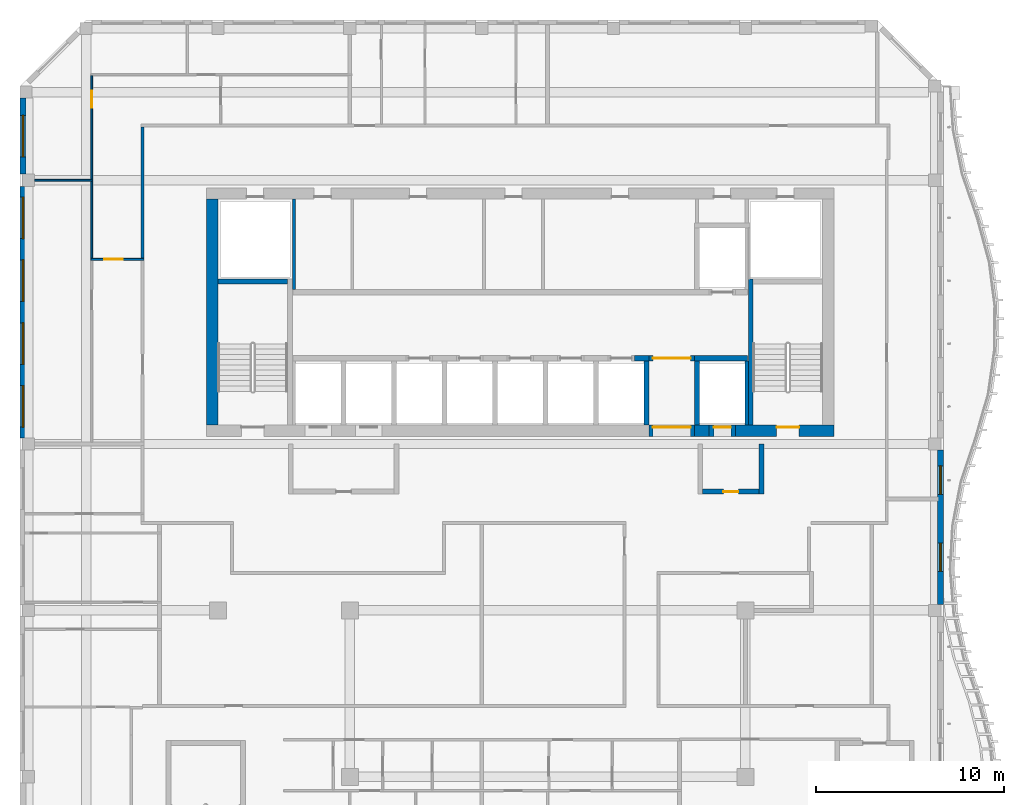
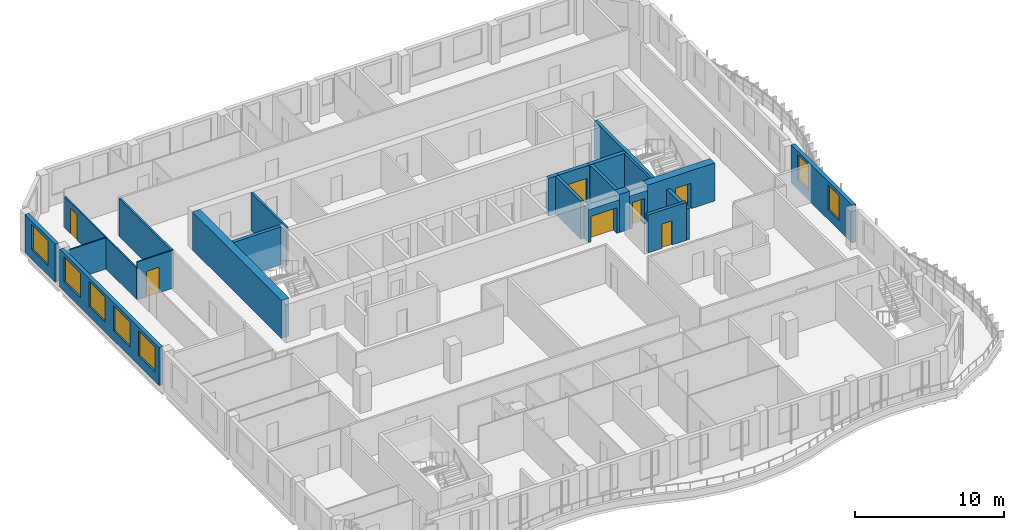
# One storey, part 6 of 18: 24 walls, 7 doors, 7 windows, 14 openings.
"""IFC4 building model written with IfcOpenShell, lengths in metres."""

import ifcopenshell
import ifcopenshell.guid

model = None  # the IFC model being written
_history = None  # IfcOwnerHistory: only IFC2X3 demands one
_inside = {}  # id of a spatial element -> (the spatial element, [elements in it])
_under = {}  # id of a project, library or spatial element -> (it, [spatial elements below it])
_declared = {}  # id of a project -> (the project, [libraries it declares])
_typed = {}  # id of a type object -> (the type object, [elements of that type])
_made_of = {}  # id of a material, layer set ... -> (it, [elements and type objects made of it])


def new_model(schema):
    """Start an empty IFC model of exactly this schema.

    Asked for "IFC4X3", IfcOpenShell would pick the latest addendum, in which some entities
    have other attributes; the version numbers below select the first issue.
    IFC2X3 requires an IfcOwnerHistory on every rooted entity: one is made here for all.
    """
    global model, _history
    if schema == "IFC4X3":
        model = ifcopenshell.file(schema_version=(4, 3, 0, 0))
    else:
        model = ifcopenshell.file(schema=schema)
    _inside.clear()
    _under.clear()
    _declared.clear()
    _typed.clear()
    _made_of.clear()
    _history = None
    if model.schema == "IFC2X3":
        org = make("IfcOrganization", Name="unknown")
        user = make(
            "IfcPersonAndOrganization",
            ThePerson=make("IfcPerson", FamilyName="unknown"),
            TheOrganization=org,
        )
        app = make(
            "IfcApplication",
            ApplicationDeveloper=org,
            Version="unknown",
            ApplicationFullName="unknown",
            ApplicationIdentifier="unknown",
        )
        _history = make(
            "IfcOwnerHistory",
            OwningUser=user,
            OwningApplication=app,
            ChangeAction="ADDED",
            CreationDate=0,
        )
    return model


def make(cls, **values):
    """One entity of the class cls with the attributes given. An attribute that is None is left unset."""
    return model.create_entity(
        cls, **{name: value for name, value in values.items() if value is not None}
    )


def rooted(cls, **values):
    """An entity with a GlobalId (a new one), such as an element, a storey or a relation."""
    return make(cls, GlobalId=ifcopenshell.guid.new(), OwnerHistory=_history, **values)


def si_unit(unit_type, name, prefix=None):
    """IfcSIUnit, for example si_unit("LENGTHUNIT", "METRE", prefix="MILLI")."""
    return make("IfcSIUnit", UnitType=unit_type, Prefix=prefix, Name=name)


def assignment(units):
    """IfcUnitAssignment: the units of a project."""
    return None if units is None else make("IfcUnitAssignment", Units=units)


def point(xyz):
    """IfcCartesianPoint."""
    return None if xyz is None else make("IfcCartesianPoint", Coordinates=xyz)


def direction(xyz):
    """IfcDirection."""
    return None if xyz is None else make("IfcDirection", DirectionRatios=xyz)


def frame(location, z_axis=None, x_axis=None):
    """IfcAxis2Placement3D, a coordinate frame: its origin and axes. An axis left out is left unset."""
    return make(
        "IfcAxis2Placement3D",
        Location=point(location),
        Axis=direction(z_axis),
        RefDirection=direction(x_axis),
    )


def frame_2d(location, x_axis=None):
    """IfcAxis2Placement2D, a coordinate frame in the plane: its origin and x axis."""
    return make(
        "IfcAxis2Placement2D", Location=point(location), RefDirection=direction(x_axis)
    )


def origin():
    """The frame at (0, 0, 0) with its axes left unset."""
    return frame((0.0, 0.0, 0.0))


def place(relative_to, where):
    """IfcLocalPlacement: puts the frame where relative to a parent placement (None: the world)."""
    return make(
        "IfcLocalPlacement", PlacementRelTo=relative_to, RelativePlacement=where
    )


def context(
    kind, dimensions, precision=None, world=None, true_north=None, identifier=None
):
    """IfcGeometricRepresentationContext, for example the 3D "Model" context."""
    return make(
        "IfcGeometricRepresentationContext",
        ContextIdentifier=identifier,
        ContextType=kind,
        CoordinateSpaceDimension=dimensions,
        Precision=precision,
        WorldCoordinateSystem=world,
        TrueNorth=true_north,
    )


def subcontext(parent, identifier, kind, view, scale=None):
    """IfcGeometricRepresentationSubContext, for example "Body" below "Model"."""
    return make(
        "IfcGeometricRepresentationSubContext",
        ContextIdentifier=identifier,
        ContextType=kind,
        ParentContext=parent,
        TargetScale=scale,
        TargetView=view,
    )


def project(units=None, contexts=None):
    """IfcProject with its units and contexts."""
    return rooted(
        "IfcProject",
        Name="project",
        RepresentationContexts=contexts,
        UnitsInContext=assignment(units),
    )


def spatial(cls, under=None, at=None, **own):
    """A site, building, storey or space (cls), placed at a placement, below another one or the project."""
    s = rooted(cls, ObjectPlacement=at, **own)
    if under is not None:
        _under.setdefault(under.id(), (under, []))[1].append(s)
    return s


def profile(cls, at=None, kind="AREA", **sizes):
    """A parametric profile (cls). Its sizes go by their IFC names, for example OverallWidth=200.0."""
    return make(cls, ProfileType=kind, Position=at, **sizes)


def rectangle(**sizes):
    """IfcRectangleProfileDef."""
    return profile("IfcRectangleProfileDef", **sizes)


def extrude(swept, where, along, depth):
    """IfcExtrudedAreaSolid: the profile swept, set in the frame where, extruded along a direction by depth."""
    return make(
        "IfcExtrudedAreaSolid",
        SweptArea=swept,
        Position=where,
        ExtrudedDirection=direction(along),
        Depth=depth,
    )


def shape(context_of_items, identifier, shape_type, items):
    """IfcShapeRepresentation: the items that make up one representation, for example the "Body"."""
    return make(
        "IfcShapeRepresentation",
        ContextOfItems=context_of_items,
        RepresentationIdentifier=identifier,
        RepresentationType=shape_type,
        Items=items,
    )


def source(mapping_origin, context_of_items, identifier, shape_type, items):
    """IfcRepresentationMap: a shape defined once, which mapped items show again and again."""
    return make(
        "IfcRepresentationMap",
        MappingOrigin=mapping_origin,
        MappedRepresentation=shape(context_of_items, identifier, shape_type, items),
    )


def transform(
    local_origin,
    x_axis=None,
    y_axis=None,
    z_axis=None,
    scale=None,
    scale2=None,
    scale3=None,
    uniform=True,
):
    """IfcCartesianTransformationOperator3D, or its non-uniform kind. x_axis, y_axis, z_axis: its Axis1, 2, 3."""
    if uniform:
        return make(
            "IfcCartesianTransformationOperator3D",
            Axis1=direction(x_axis),
            Axis2=direction(y_axis),
            LocalOrigin=point(local_origin),
            Scale=scale,
            Axis3=direction(z_axis),
        )
    return make(
        "IfcCartesianTransformationOperator3DnonUniform",
        Axis1=direction(x_axis),
        Axis2=direction(y_axis),
        LocalOrigin=point(local_origin),
        Scale=scale,
        Axis3=direction(z_axis),
        Scale2=scale2,
        Scale3=scale3,
    )


def mapped(mapping_source, mapping_target):
    """IfcMappedItem: shows the shape of a source again, moved by a transform."""
    return make(
        "IfcMappedItem", MappingSource=mapping_source, MappingTarget=mapping_target
    )


def material(Name=None, Category=None):
    """IfcMaterial."""
    return make("IfcMaterial", Name=Name, Category=Category)


def layer(
    of_material, thickness, ventilated=None, Name=None, Category=None, Priority=None
):
    """IfcMaterialLayer: one layer of a wall or slab, of a material (None: an air gap)."""
    return make(
        "IfcMaterialLayer",
        Material=of_material,
        LayerThickness=thickness,
        IsVentilated=ventilated,
        Name=Name,
        Category=Category,
        Priority=Priority,
    )


def layer_set(layers, Name=None):
    """IfcMaterialLayerSet."""
    return make("IfcMaterialLayerSet", MaterialLayers=layers, LayerSetName=Name)


def made_of(thing, what):
    """Note that an element or type object is made of a material, layer set ...; save() writes the relation."""
    if what is not None:
        _made_of.setdefault(what.id(), (what, []))[1].append(thing)
    return thing


def type_object(cls, material=None, **own):
    """A type object (cls), such as IfcWallType, which elements share."""
    return made_of(rooted(cls, **own), material)


def element(
    cls,
    number,
    at=None,
    inside=None,
    cuts=None,
    type_object=None,
    material=None,
    context=None,
    identifier="Body",
    shape_type=None,
    held_by="IfcProductDefinitionShape",
    body=None,
    shapes=None,
    **own,
):
    """One element of the class cls, such as IfcWall. Its Tag is "e" and its number.

    at: its placement. inside: the storey or other place that contains it. cuts: it is an
    opening in that element (IfcRelVoidsElement). A single representation is given by context,
    identifier, shape_type and body (its items); several are given by shapes. held_by: the class
    of the entity that holds the representations. save() writes the other relations.
    """
    e = rooted(cls, Tag="e%d" % number, ObjectPlacement=at, **own)
    if body is not None:
        shapes = [shape(context, identifier, shape_type, body)]
    if shapes is not None:
        e.Representation = make(held_by, Representations=shapes)
    if inside is not None:
        _inside.setdefault(inside.id(), (inside, []))[1].append(e)
    if cuts is not None:
        rooted(
            "IfcRelVoidsElement", RelatingBuildingElement=cuts, RelatedOpeningElement=e
        )
    if type_object is not None:
        _typed.setdefault(type_object.id(), (type_object, []))[1].append(e)
    return made_of(e, material)


def fill(opening, filler):
    """IfcRelFillsElement: the door or window that sits in an opening."""
    return rooted(
        "IfcRelFillsElement",
        RelatingOpeningElement=opening,
        RelatedBuildingElement=filler,
    )


def aggregate(whole, parts):
    """IfcRelAggregates: a whole, such as a stair, and the parts it consists of."""
    return rooted("IfcRelAggregates", RelatingObject=whole, RelatedObjects=parts)


def save(model, path):
    """Write the relations noted so far, then the file.

    IfcRelAggregates (storeys below a building ...), IfcRelContainedInSpatialStructure (elements
    in a storey), IfcRelDefinesByType, IfcRelAssociatesMaterial and IfcRelDeclares: one each for
    every whole, place, type object, material and project.
    """
    for whole, parts in _under.values():
        aggregate(whole, parts)
    for where, things in _inside.values():
        rooted(
            "IfcRelContainedInSpatialStructure",
            RelatedElements=things,
            RelatingStructure=where,
        )
    for kind, things in _typed.values():
        rooted("IfcRelDefinesByType", RelatedObjects=things, RelatingType=kind)
    for what, things in _made_of.values():
        rooted("IfcRelAssociatesMaterial", RelatedObjects=things, RelatingMaterial=what)
    for by, libraries in _declared.values():
        rooted("IfcRelDeclares", RelatingContext=by, RelatedDefinitions=libraries)
    model.write(path)


model = new_model("IFC4")

# Units and contexts
model_context = context("Model", 3, precision=1e-05, world=origin(), true_north=direction((0.0, 1.0)))
body_context = subcontext(model_context, "Body", "Model", "MODEL_VIEW")
ifc_project = project(units=[si_unit("LENGTHUNIT", "METRE"), si_unit("AREAUNIT", "SQUARE_METRE"), si_unit("VOLUMEUNIT", "CUBIC_METRE"), si_unit("PLANEANGLEUNIT", "RADIAN"), si_unit("MASSUNIT", "GRAM", prefix="KILO")], contexts=[model_context])

# Site, building, storey
site_placement = place(None, origin())
site = spatial("IfcSite", under=ifc_project, at=site_placement, CompositionType="ELEMENT")
building_placement = place(site_placement, origin())
building = spatial("IfcBuilding", under=site, at=building_placement, Name="Kilnfold Tower and Market Hall", CompositionType="ELEMENT")
storey_placement = place(building_placement, frame((0.0, 0.0, 277.199951171875)))
storey = spatial("IfcBuildingStorey", under=building, at=storey_placement, Name="L68", CompositionType="ELEMENT", Elevation=277.199951171875)

# Wall
ifc_material_1 = material(Name="Gypsum board on steel studs", Category="steel")
ifc_layer_1 = layer(ifc_material_1, 0.14990234375)
ifc_layer_set_1 = layer_set([ifc_layer_1], Name="Gypsum board on steel studs")
wall_type_1 = type_object("IfcWallType", Name="WALL CORRIDOR 150", PredefinedType="PARTITIONING", material=ifc_layer_set_1)
wall_1_placement = place(storey_placement, frame((-19.0, 17.840087890625, 0.0), z_axis=(0.0, 0.0, 1.0), x_axis=(0.0, 1.0, 0.0)))
element("IfcWall", 1, at=wall_1_placement, inside=storey, type_object=wall_type_1, Name="Partition LY42.21", PredefinedType="PARTITIONING", context=body_context, shape_type="SweptSolid", body=[
    extrude(rectangle(XDim=6.98486328125, YDim=0.14990234375, at=frame_2d((3.492431640625, 0.0))), origin(), (0.0, 0.0, 1.0), 3.1201171875),
])

# Wall, opening, door
ifc_material_2 = material(Name="Gypsum board on steel studs", Category="steel")
ifc_layer_2 = layer(ifc_material_2, 0.10009765625)
ifc_layer_set_2 = layer_set([ifc_layer_2], Name="Gypsum board on steel studs")
wall_type_2 = type_object("IfcWallType", Name="WALL PARTITION 100", PredefinedType="PARTITIONING", material=ifc_layer_set_2)
wall_2_placement = place(storey_placement, frame((-18.927001953125, 17.800048828125, 0.0), z_axis=(0.0, 0.0, 1.0), x_axis=(-1.0, 0.0, 0.0)))
wall_2 = element("IfcWall", 2, at=wall_2_placement, inside=storey, type_object=wall_type_2, Name="Partition LY42.71", PredefinedType="PARTITIONING", context=body_context, shape_type="SweptSolid", body=[
    extrude(rectangle(XDim=2.822998046875, YDim=0.10009765625, at=frame_2d((1.41162109375, 0.0))), origin(), (0.0, 0.0, 1.0), 3.1201171875),
])
opening_1_placement = place(wall_2_placement, frame((1.114990234375, 0.0, 0.0)))
opening_1 = element("IfcOpeningElement", 3, at=opening_1_placement, cuts=wall_2, Name="Opening D1", PredefinedType="OPENING", context=body_context, shape_type="SweptSolid", body=[
    extrude(rectangle(XDim=1.0, YDim=2.10009765625, at=frame_2d((0.5, 1.050048828125))), frame((0.0, 0.06005859375, 0.0), z_axis=(0.0, -1.0, 0.0), x_axis=(1.0, 0.0, 0.0)), (0.0, 0.0, 1.0), 0.1201171875),
])
ifc_material_3 = material(Name="Timber veneer door leaf in steel frame", Category="steel")
door_type_1 = type_object("IfcDoorType", Name="DOOR ENTRY 1000 X2100", OperationType="NOTDEFINED", PredefinedType="DOOR", material=ifc_material_3)
door_1_placement = place(opening_1_placement, origin())
door_1 = element("IfcDoor", 4, at=door_1_placement, inside=storey, type_object=door_type_1, Name="Door D1", OperationType="SINGLE_SWING_RIGHT", OverallHeight=2.10009765625, OverallWidth=1.0, PredefinedType="DOOR", context=body_context, shape_type="SweptSolid", body=[
    extrude(rectangle(XDim=1.0, YDim=2.10009765625, at=frame_2d((0.5, 1.050048828125))), frame((0.0, 0.02490234375, 0.0), z_axis=(0.0, -1.0, 0.0), x_axis=(1.0, 0.0, 0.0)), (0.0, 0.0, 1.0), 0.050048828125),
])
fill(opening_1, door_1)

# Wall
wall_3_placement = place(storey_placement, frame((-21.699951171875, 17.85009765625, 0.0), z_axis=(0.0, 0.0, 1.0), x_axis=(0.0, 1.0, 0.0)))
element("IfcWall", 5, at=wall_3_placement, inside=storey, type_object=wall_type_2, Name="Partition LY42.74", PredefinedType="PARTITIONING", context=body_context, shape_type="SweptSolid", body=[
    extrude(rectangle(XDim=4.10986328125, YDim=0.10009765625, at=frame_2d((2.054931640625, 0.0))), origin(), (0.0, 0.0, 1.0), 2.570068359375),
])

# Wall, opening, door
wall_4_placement = place(storey_placement, frame((-21.699951171875, 22.0400390625, 0.0), z_axis=(0.0, 0.0, 1.0), x_axis=(0.0, 1.0, 0.0)))
wall_4 = element("IfcWall", 6, at=wall_4_placement, inside=storey, type_object=wall_type_2, Name="Partition LY42.75", PredefinedType="PARTITIONING", context=body_context, shape_type="SweptSolid", body=[
    extrude(rectangle(XDim=5.510009765625, YDim=0.10009765625, at=frame_2d((2.7548828125, 0.0))), origin(), (0.0, 0.0, 1.0), 2.570068359375),
])
opening_2_placement = place(wall_4_placement, frame((3.80908203125, 0.0, 0.0)))
opening_2 = element("IfcOpeningElement", 7, at=opening_2_placement, cuts=wall_4, Name="Opening D2", PredefinedType="OPENING", context=body_context, shape_type="SweptSolid", body=[
    extrude(rectangle(XDim=0.89990234375, YDim=2.10009765625, at=frame_2d((0.449951171875, 1.050048828125))), frame((0.0, 0.06005859375, 0.0), z_axis=(0.0, -1.0, 0.0), x_axis=(1.0, 0.0, 0.0)), (0.0, 0.0, 1.0), 0.1201171875),
])
ifc_material_4 = material(Name="Timber veneer door leaf in steel frame", Category="steel")
door_type_2 = type_object("IfcDoorType", Name="DOOR ROOM 900 X2100", OperationType="NOTDEFINED", PredefinedType="DOOR", material=ifc_material_4)
door_2_placement = place(opening_2_placement, origin())
door_2 = element("IfcDoor", 8, at=door_2_placement, inside=storey, type_object=door_type_2, Name="Door D2", OperationType="SINGLE_SWING_LEFT", OverallHeight=2.10009765625, OverallWidth=0.89990234375, PredefinedType="DOOR", context=body_context, shape_type="SweptSolid", body=[
    extrude(rectangle(XDim=0.89990234375, YDim=2.10009765625, at=frame_2d((0.449951171875, 1.050048828125))), frame((0.0, 0.02490234375, 0.0), z_axis=(0.0, -1.0, 0.0), x_axis=(1.0, 0.0, 0.0)), (0.0, 0.0, 1.0), 0.050048828125),
])
fill(opening_2, door_2)

# Walls
wall_5_placement = place(storey_placement, frame((-21.652099609375, 22.0, 0.0), z_axis=(0.0, 0.0, 1.0), x_axis=(-1.0, 0.0, 0.0)))
element("IfcWall", 9, at=wall_5_placement, inside=storey, type_object=wall_type_2, Name="Partition LY42.77", PredefinedType="PARTITIONING", context=body_context, shape_type="SweptSolid", body=[
    extrude(rectangle(XDim=3.072998046875, YDim=0.10009765625, at=frame_2d((1.53662109375, 0.0))), origin(), (0.0, 0.0, 1.0), 2.570068359375),
])
ifc_material_5 = material(Name="Concrete C50", Category="concrete")
ifc_layer_3 = layer(ifc_material_5, 0.25)
ifc_layer_set_3 = layer_set([ifc_layer_3], Name="Concrete C50")
wall_type_3 = type_object("IfcWallType", Name="CORE WALL 250 C50", PredefinedType="SHEAR", material=ifc_layer_set_3)
shared_shape_1 = source(origin(), body_context, "Body", "SweptSolid", [
    extrude(rectangle(XDim=7.75, YDim=0.25, at=frame_2d((3.875, 0.0))), origin(), (0.0, 0.0, 1.0), 3.1201171875),
])
wall_6_placement = place(storey_placement, frame((13.27490234375, 9.0, 0.0), z_axis=(0.0, 0.0, 1.0), x_axis=(0.0, 1.0, 0.0)))
element("IfcWall", 10, at=wall_6_placement, inside=storey, type_object=wall_type_3, Name="Stair enclosure ST2", PredefinedType="SHEAR", context=body_context, shape_type="MappedRepresentation", body=[
    mapped(shared_shape_1, transform((0.0, 0.0, 0.0))),
])
shared_shape_2 = source(origin(), body_context, "Body", "SweptSolid", [
    extrude(rectangle(XDim=3.699951171875, YDim=0.25, at=frame_2d((1.85009765625, 0.0))), origin(), (0.0, 0.0, 1.0), 3.1201171875),
])
wall_7_placement = place(storey_placement, frame((-15.0, 16.625, 0.0), z_axis=(0.0, 0.0, 1.0), x_axis=(1.0, 0.0, 0.0)))
element("IfcWall", 11, at=wall_7_placement, inside=storey, type_object=wall_type_3, Name="Stair enclosure ST1", PredefinedType="SHEAR", context=body_context, shape_type="MappedRepresentation", body=[
    mapped(shared_shape_2, transform((0.0, 0.0, 0.0))),
])
ifc_material_6 = material(Name="Concrete C50", Category="concrete")
ifc_layer_4 = layer(ifc_material_6, 0.300048828125)
ifc_layer_set_4 = layer_set([ifc_layer_4], Name="Concrete C50")
wall_type_4 = type_object("IfcWallType", Name="CORE WALL 300 C50", PredefinedType="SHEAR", material=ifc_layer_set_4)
shared_shape_3 = source(origin(), body_context, "Body", "SweptSolid", [
    extrude(rectangle(XDim=0.77978515625, YDim=0.300048828125, at=frame_2d((0.389892578125, 0.0))), origin(), (0.0, 0.0, 1.0), 3.1201171875),
])
wall_8_placement = place(storey_placement, frame((7.110107421875, 12.550048828125, 0.0), z_axis=(0.0, 0.0, 1.0), x_axis=(1.0, 0.0, 0.0)))
element("IfcWall", 12, at=wall_8_placement, inside=storey, type_object=wall_type_4, Name="Core spine wall", PredefinedType="SHEAR", context=body_context, shape_type="MappedRepresentation", body=[
    mapped(shared_shape_3, transform((0.0, 0.0, 0.0))),
])
shared_shape_4 = source(origin(), body_context, "Body", "SweptSolid", [
    extrude(rectangle(XDim=2.820068359375, YDim=0.300048828125, at=frame_2d((1.41015625, 0.0))), origin(), (0.0, 0.0, 1.0), 3.1201171875),
])
wall_9_placement = place(storey_placement, frame((10.2900390625, 12.550048828125, 0.0), z_axis=(0.0, 0.0, 1.0), x_axis=(1.0, 0.0, 0.0)))
element("IfcWall", 13, at=wall_9_placement, inside=storey, type_object=wall_type_4, Name="Core spine wall", PredefinedType="SHEAR", context=body_context, shape_type="MappedRepresentation", body=[
    mapped(shared_shape_4, transform((0.0, 0.0, 0.0))),
])

# Wall, opening, door
ifc_material_7 = material(Name="Concrete C50", Category="concrete")
ifc_layer_5 = layer(ifc_material_7, 0.60009765625)
ifc_layer_set_5 = layer_set([ifc_layer_5], Name="Concrete C50")
wall_type_5 = type_object("IfcWallType", Name="CORE WALL 600 C50", PredefinedType="SHEAR", material=ifc_layer_set_5)
shared_shape_5 = source(origin(), body_context, "Body", "SweptSolid", [
    extrude(rectangle(XDim=5.22998046875, YDim=0.60009765625, at=frame_2d((2.614990234375, 0.0))), origin(), (0.0, 0.0, 1.0), 3.1201171875),
])
wall_10_placement = place(storey_placement, frame((12.469970703125, 8.699951171875, 0.0), z_axis=(0.0, 0.0, 1.0), x_axis=(1.0, 0.0, 0.0)))
wall_10 = element("IfcWall", 14, at=wall_10_placement, inside=storey, type_object=wall_type_5, Name="Core outer wall south", PredefinedType="SHEAR", context=body_context, shape_type="MappedRepresentation", body=[
    mapped(shared_shape_5, transform((0.0, 0.0, 0.0))),
])
opening_3_placement = place(wall_10_placement, frame((2.179931640625, 0.0, 0.0)))
opening_3 = element("IfcOpeningElement", 15, at=opening_3_placement, cuts=wall_10, Name="Opening SD1", PredefinedType="OPENING", context=body_context, shape_type="SweptSolid", body=[
    extrude(rectangle(XDim=1.199951171875, YDim=2.10009765625, at=frame_2d((0.60009765625, 1.050048828125))), frame((0.0, 0.31005859375, 0.0), z_axis=(0.0, -1.0, 0.0), x_axis=(1.0, 0.0, 0.0)), (0.0, 0.0, 1.0), 0.6201171875),
])
ifc_material_8 = material(Name="Steel door set with fire-resisting leaf", Category="steel")
door_type_3 = type_object("IfcDoorType", Name="STAIR FLOOR DOOR 1200X2100", OperationType="NOTDEFINED", PredefinedType="DOOR", material=ifc_material_8)
door_3_placement = place(opening_3_placement, origin())
door_3 = element("IfcDoor", 16, at=door_3_placement, inside=storey, type_object=door_type_3, Name="Exit stair ST2 door", OperationType="DOUBLE_DOOR_SINGLE_SWING", OverallHeight=2.10009765625, OverallWidth=1.199951171875, PredefinedType="DOOR", context=body_context, shape_type="SweptSolid", body=[
    extrude(rectangle(XDim=1.199951171875, YDim=2.10009765625, at=frame_2d((0.60009765625, 1.050048828125))), frame((0.0, 0.205078125, 0.0), z_axis=(0.0, -1.0, 0.0), x_axis=(1.0, 0.0, 0.0)), (0.0, 0.0, 1.0), 0.050048828125),
])
fill(opening_3, door_3)

# Walls
shared_shape_6 = source(origin(), body_context, "Body", "SweptSolid", [
    extrude(rectangle(XDim=0.780029296875, YDim=0.60009765625, at=frame_2d((0.39013671875, 0.0))), origin(), (0.0, 0.0, 1.0), 3.1201171875),
])
wall_11_placement = place(storey_placement, frame((10.2900390625, 8.699951171875, 0.0), z_axis=(0.0, 0.0, 1.0), x_axis=(1.0, 0.0, 0.0)))
element("IfcWall", 17, at=wall_11_placement, inside=storey, type_object=wall_type_5, Name="Core outer wall south", PredefinedType="SHEAR", context=body_context, shape_type="MappedRepresentation", body=[
    mapped(shared_shape_6, transform((0.0, 0.0, 0.0))),
])
shared_shape_7 = source(origin(), body_context, "Body", "SweptSolid", [
    extrude(rectangle(XDim=12.0, YDim=0.60009765625, at=frame_2d((6.0, 0.0))), origin(), (0.0, 0.0, 1.0), 3.1201171875),
])
wall_12_placement = place(storey_placement, frame((-15.300048828125, 9.0, 0.0), z_axis=(0.0, 0.0, 1.0), x_axis=(0.0, 1.0, 0.0)))
element("IfcWall", 18, at=wall_12_placement, inside=storey, type_object=wall_type_5, Name="Core outer wall west", PredefinedType="SHEAR", context=body_context, shape_type="MappedRepresentation", body=[
    mapped(shared_shape_7, transform((0.0, 0.0, 0.0))),
])

# Wall, openings, windows
ifc_material_9 = material(Name="Precast concrete C50/60", Category="concrete")
ifc_layer_6 = layer(ifc_material_9, 0.300048828125)
ifc_layer_set_6 = layer_set([ifc_layer_6], Name="Precast concrete C50/60")
wall_type_6 = type_object("IfcWallType", Name="PRECAST WALL 300", PredefinedType="SOLIDWALL", material=ifc_layer_set_6)
shared_shape_8 = source(origin(), body_context, "Body", "SweptSolid", [
    extrude(rectangle(XDim=8.183349609375, YDim=0.300048828125, at=frame_2d((4.091796875, 0.0))), origin(), (0.0, 0.0, 1.0), 3.1201171875),
])
wall_13_placement = place(storey_placement, frame((23.35009765625, -0.50830078125, 0.0), z_axis=(0.0, 0.0, 1.0), x_axis=(0.0, 1.0, 0.0)))
wall_13 = element("IfcWall", 19, at=wall_13_placement, inside=storey, type_object=wall_type_6, Name="External wall L68 E", PredefinedType="SOLIDWALL", context=body_context, shape_type="MappedRepresentation", body=[
    mapped(shared_shape_8, transform((0.0, 0.0, 0.0))),
])
opening_4_placement = place(wall_13_placement, frame((1.75, 0.0, 0.800048828125)))
opening_4 = element("IfcOpeningElement", 20, at=opening_4_placement, cuts=wall_13, Name="Opening W5", PredefinedType="OPENING", context=body_context, shape_type="SweptSolid", body=[
    extrude(rectangle(XDim=1.5, YDim=2.050048828125, at=frame_2d((0.75, 1.02490234375))), frame((0.0, 0.16015625, 0.0), z_axis=(0.0, -1.0, 0.0), x_axis=(1.0, 0.0, 0.0)), (0.0, 0.0, 1.0), 0.320068359375),
])
opening_5_placement = place(wall_13_placement, frame((5.841552734375, 0.0, 0.800048828125)))
opening_5 = element("IfcOpeningElement", 21, at=opening_5_placement, cuts=wall_13, Name="Opening W5", PredefinedType="OPENING", context=body_context, shape_type="SweptSolid", body=[
    extrude(rectangle(XDim=1.5, YDim=2.050048828125, at=frame_2d((0.75, 1.02490234375))), frame((0.0, 0.16015625, 0.0), z_axis=(0.0, -1.0, 0.0), x_axis=(1.0, 0.0, 0.0)), (0.0, 0.0, 1.0), 0.320068359375),
])
ifc_material_10 = material(Name="Aluminium frame and double glazing", Category="aluminium")
window_type_1 = type_object("IfcWindowType", Name="WINDOW W5 1500X2050", PartitioningType="SINGLE_PANEL", PredefinedType="WINDOW", material=ifc_material_10)
window_1_placement = place(opening_4_placement, origin())
window_1 = element("IfcWindow", 22, at=window_1_placement, inside=storey, type_object=window_type_1, Name="Window W5 L68 E-1", OverallHeight=2.050048828125, OverallWidth=1.5, PartitioningType="SINGLE_PANEL", PredefinedType="WINDOW", context=body_context, shape_type="SweptSolid", body=[
    extrude(rectangle(XDim=1.5, YDim=2.050048828125, at=frame_2d((0.75, 1.02490234375))), frame((0.0, 0.030029296875, 0.0), z_axis=(0.0, -1.0, 0.0), x_axis=(1.0, 0.0, 0.0)), (0.0, 0.0, 1.0), 0.06005859375),
])
fill(opening_4, window_1)
window_2_placement = place(opening_5_placement, origin())
window_2 = element("IfcWindow", 23, at=window_2_placement, inside=storey, type_object=window_type_1, Name="Window W5 L68 E-2", OverallHeight=2.050048828125, OverallWidth=1.5, PartitioningType="SINGLE_PANEL", PredefinedType="WINDOW", context=body_context, shape_type="SweptSolid", body=[
    extrude(rectangle(XDim=1.5, YDim=2.050048828125, at=frame_2d((0.75, 1.02490234375))), frame((0.0, 0.030029296875, 0.0), z_axis=(0.0, -1.0, 0.0), x_axis=(1.0, 0.0, 0.0)), (0.0, 0.0, 1.0), 0.06005859375),
])
fill(opening_5, window_2)

shared_shape_9 = source(origin(), body_context, "Body", "SweptSolid", [
    extrude(rectangle(XDim=13.35009765625, YDim=0.300048828125, at=frame_2d((6.675048828125, 0.0))), origin(), (0.0, 0.0, 1.0), 3.1201171875),
])
wall_14_placement = place(storey_placement, frame((-25.35009765625, 21.675048828125, 0.0), z_axis=(0.0, 0.0, 1.0), x_axis=(0.0, -1.0, 0.0)))
wall_14 = element("IfcWall", 24, at=wall_14_placement, inside=storey, type_object=wall_type_6, Name="External wall L68 W", PredefinedType="SOLIDWALL", context=body_context, shape_type="MappedRepresentation", body=[
    mapped(shared_shape_9, transform((0.0, 0.0, 0.0))),
])
opening_6_placement = place(wall_14_placement, frame((0.56884765625, 0.0, 0.800048828125)))
opening_6 = element("IfcOpeningElement", 25, at=opening_6_placement, cuts=wall_14, Name="Opening W3", PredefinedType="OPENING", context=body_context, shape_type="SweptSolid", body=[
    extrude(rectangle(XDim=2.199951171875, YDim=2.050048828125, at=frame_2d((1.10009765625, 1.02490234375))), frame((0.0, 0.16015625, 0.0), z_axis=(0.0, -1.0, 0.0), x_axis=(1.0, 0.0, 0.0)), (0.0, 0.0, 1.0), 0.320068359375),
])
opening_7_placement = place(wall_14_placement, frame((3.90625, 0.0, 0.800048828125)))
opening_7 = element("IfcOpeningElement", 26, at=opening_7_placement, cuts=wall_14, Name="Opening W3", PredefinedType="OPENING", context=body_context, shape_type="SweptSolid", body=[
    extrude(rectangle(XDim=2.199951171875, YDim=2.050048828125, at=frame_2d((1.10009765625, 1.02490234375))), frame((0.0, 0.16015625, 0.0), z_axis=(0.0, -1.0, 0.0), x_axis=(1.0, 0.0, 0.0)), (0.0, 0.0, 1.0), 0.320068359375),
])
opening_8_placement = place(wall_14_placement, frame((7.243896484375, 0.0, 0.800048828125)))
opening_8 = element("IfcOpeningElement", 27, at=opening_8_placement, cuts=wall_14, Name="Opening W3", PredefinedType="OPENING", context=body_context, shape_type="SweptSolid", body=[
    extrude(rectangle(XDim=2.199951171875, YDim=2.050048828125, at=frame_2d((1.10009765625, 1.02490234375))), frame((0.0, 0.16015625, 0.0), z_axis=(0.0, -1.0, 0.0), x_axis=(1.0, 0.0, 0.0)), (0.0, 0.0, 1.0), 0.320068359375),
])
opening_9_placement = place(wall_14_placement, frame((10.581298828125, 0.0, 0.800048828125)))
opening_9 = element("IfcOpeningElement", 28, at=opening_9_placement, cuts=wall_14, Name="Opening W3", PredefinedType="OPENING", context=body_context, shape_type="SweptSolid", body=[
    extrude(rectangle(XDim=2.199951171875, YDim=2.050048828125, at=frame_2d((1.10009765625, 1.02490234375))), frame((0.0, 0.16015625, 0.0), z_axis=(0.0, -1.0, 0.0), x_axis=(1.0, 0.0, 0.0)), (0.0, 0.0, 1.0), 0.320068359375),
])
ifc_material_11 = material(Name="Aluminium frame and double glazing", Category="aluminium")
window_type_2 = type_object("IfcWindowType", Name="WINDOW W3 2200X2050", PartitioningType="SINGLE_PANEL", PredefinedType="WINDOW", material=ifc_material_11)
window_3_placement = place(opening_6_placement, origin())
window_3 = element("IfcWindow", 29, at=window_3_placement, inside=storey, type_object=window_type_2, Name="Window W3 L68 W-1", OverallHeight=2.050048828125, OverallWidth=2.199951171875, PartitioningType="SINGLE_PANEL", PredefinedType="WINDOW", context=body_context, shape_type="SweptSolid", body=[
    extrude(rectangle(XDim=2.199951171875, YDim=2.050048828125, at=frame_2d((1.10009765625, 1.02490234375))), frame((0.0, 0.030029296875, 0.0), z_axis=(0.0, -1.0, 0.0), x_axis=(1.0, 0.0, 0.0)), (0.0, 0.0, 1.0), 0.06005859375),
])
fill(opening_6, window_3)
window_4_placement = place(opening_7_placement, origin())
window_4 = element("IfcWindow", 30, at=window_4_placement, inside=storey, type_object=window_type_2, Name="Window W3 L68 W-2", OverallHeight=2.050048828125, OverallWidth=2.199951171875, PartitioningType="SINGLE_PANEL", PredefinedType="WINDOW", context=body_context, shape_type="SweptSolid", body=[
    extrude(rectangle(XDim=2.199951171875, YDim=2.050048828125, at=frame_2d((1.10009765625, 1.02490234375))), frame((0.0, 0.030029296875, 0.0), z_axis=(0.0, -1.0, 0.0), x_axis=(1.0, 0.0, 0.0)), (0.0, 0.0, 1.0), 0.06005859375),
])
fill(opening_7, window_4)
window_5_placement = place(opening_8_placement, origin())
window_5 = element("IfcWindow", 31, at=window_5_placement, inside=storey, type_object=window_type_2, Name="Window W3 L68 W-3", OverallHeight=2.050048828125, OverallWidth=2.199951171875, PartitioningType="SINGLE_PANEL", PredefinedType="WINDOW", context=body_context, shape_type="SweptSolid", body=[
    extrude(rectangle(XDim=2.199951171875, YDim=2.050048828125, at=frame_2d((1.10009765625, 1.02490234375))), frame((0.0, 0.030029296875, 0.0), z_axis=(0.0, -1.0, 0.0), x_axis=(1.0, 0.0, 0.0)), (0.0, 0.0, 1.0), 0.06005859375),
])
fill(opening_8, window_5)
window_6_placement = place(opening_9_placement, origin())
window_6 = element("IfcWindow", 32, at=window_6_placement, inside=storey, type_object=window_type_2, Name="Window W3 L68 W-4", OverallHeight=2.050048828125, OverallWidth=2.199951171875, PartitioningType="SINGLE_PANEL", PredefinedType="WINDOW", context=body_context, shape_type="SweptSolid", body=[
    extrude(rectangle(XDim=2.199951171875, YDim=2.050048828125, at=frame_2d((1.10009765625, 1.02490234375))), frame((0.0, 0.030029296875, 0.0), z_axis=(0.0, -1.0, 0.0), x_axis=(1.0, 0.0, 0.0)), (0.0, 0.0, 1.0), 0.06005859375),
])
fill(opening_9, window_6)

# Wall, opening, window
shared_shape_10 = source(origin(), body_context, "Body", "SweptSolid", [
    extrude(rectangle(XDim=4.03173828125, YDim=0.300048828125, at=frame_2d((2.015869140625, 0.0))), origin(), (0.0, 0.0, 1.0), 3.1201171875),
])
wall_15_placement = place(storey_placement, frame((-25.35009765625, 26.356689453125, 0.0), z_axis=(0.0, 0.0, 1.0), x_axis=(0.0, -1.0, 0.0)))
wall_15 = element("IfcWall", 33, at=wall_15_placement, inside=storey, type_object=wall_type_6, Name="External wall L68 W", PredefinedType="SOLIDWALL", context=body_context, shape_type="MappedRepresentation", body=[
    mapped(shared_shape_10, transform((0.0, 0.0, 0.0))),
])
opening_10_placement = place(wall_15_placement, frame((0.916015625, 0.0, 0.800048828125)))
opening_10 = element("IfcOpeningElement", 34, at=opening_10_placement, cuts=wall_15, Name="Opening W3", PredefinedType="OPENING", context=body_context, shape_type="SweptSolid", body=[
    extrude(rectangle(XDim=2.199951171875, YDim=2.050048828125, at=frame_2d((1.10009765625, 1.02490234375))), frame((0.0, 0.16015625, 0.0), z_axis=(0.0, -1.0, 0.0), x_axis=(1.0, 0.0, 0.0)), (0.0, 0.0, 1.0), 0.320068359375),
])
window_7_placement = place(opening_10_placement, origin())
window_7 = element("IfcWindow", 35, at=window_7_placement, inside=storey, type_object=window_type_2, Name="Window W3 L68 W-1", OverallHeight=2.050048828125, OverallWidth=2.199951171875, PartitioningType="SINGLE_PANEL", PredefinedType="WINDOW", context=body_context, shape_type="SweptSolid", body=[
    extrude(rectangle(XDim=2.199951171875, YDim=2.050048828125, at=frame_2d((1.10009765625, 1.02490234375))), frame((0.0, 0.030029296875, 0.0), z_axis=(0.0, -1.0, 0.0), x_axis=(1.0, 0.0, 0.0)), (0.0, 0.0, 1.0), 0.06005859375),
])
fill(opening_10, window_7)

# Wall, opening, door
ifc_material_12 = material(Name="Gypsum shaft wall system")
ifc_layer_7 = layer(ifc_material_12, 0.300048828125)
ifc_layer_set_7 = layer_set([ifc_layer_7], Name="Gypsum shaft wall system")
wall_type_7 = type_object("IfcWallType", Name="SHAFT WALL 300", PredefinedType="PARTITIONING", material=ifc_layer_set_7)
shared_shape_11 = source(origin(), body_context, "Body", "SweptSolid", [
    extrude(rectangle(XDim=2.400146484375, YDim=0.300048828125, at=frame_2d((1.2001953125, 0.0))), origin(), (0.0, 0.0, 1.0), 3.1201171875),
])
wall_16_placement = place(storey_placement, frame((7.889892578125, 12.550048828125, 0.0), z_axis=(0.0, 0.0, 1.0), x_axis=(1.0, 0.0, 0.0)))
wall_16 = element("IfcWall", 36, at=wall_16_placement, inside=storey, type_object=wall_type_7, Name="Lift shaft front wall", PredefinedType="PARTITIONING", context=body_context, shape_type="MappedRepresentation", body=[
    mapped(shared_shape_11, transform((0.0, 0.0, 0.0))),
])
opening_11_placement = place(wall_16_placement, frame((0.199951171875, 0.0, 0.0)))
opening_11 = element("IfcOpeningElement", 37, at=opening_11_placement, cuts=wall_16, Name="Opening VD2", PredefinedType="OPENING", context=body_context, shape_type="SweptSolid", body=[
    extrude(rectangle(XDim=2.0, YDim=2.10009765625, at=frame_2d((1.0, 1.050048828125))), frame((0.0, 0.16015625, 0.0), z_axis=(0.0, -1.0, 0.0), x_axis=(1.0, 0.0, 0.0)), (0.0, 0.0, 1.0), 0.320068359375),
])
ifc_material_13 = material(Name="Steel door set with fire-resisting leaf", Category="steel")
door_type_4 = type_object("IfcDoorType", Name="LIFT LOBBY ENTRANCE DOOR 2000X2100", OperationType="NOTDEFINED", PredefinedType="DOOR", material=ifc_material_13)
door_4_placement = place(opening_11_placement, origin())
door_4 = element("IfcDoor", 38, at=door_4_placement, inside=storey, type_object=door_type_4, Name="Lift lobby entrance door", OperationType="DOUBLE_DOOR_SINGLE_SWING", OverallHeight=2.10009765625, OverallWidth=2.0, PredefinedType="DOOR", context=body_context, shape_type="SweptSolid", body=[
    extrude(rectangle(XDim=2.0, YDim=2.10009765625, at=frame_2d((1.0, 1.050048828125))), frame((0.0, 0.02490234375, 0.0), z_axis=(0.0, -1.0, 0.0), x_axis=(1.0, 0.0, 0.0)), (0.0, 0.0, 1.0), 0.050048828125),
])
fill(opening_11, door_4)

ifc_material_14 = material(Name="Gypsum shaft wall system")
ifc_layer_8 = layer(ifc_material_14, 0.25)
ifc_layer_set_8 = layer_set([ifc_layer_8], Name="Gypsum shaft wall system")
wall_type_8 = type_object("IfcWallType", Name="LOBBY WALL 250", PredefinedType="PARTITIONING", material=ifc_layer_set_8)
shared_shape_12 = source(origin(), body_context, "Body", "SweptSolid", [
    extrude(rectangle(XDim=3.0, YDim=0.25, at=frame_2d((1.5, 0.0))), origin(), (0.0, 0.0, 1.0), 3.1201171875),
])
wall_17_placement = place(storey_placement, frame((10.72998046875, 5.47509765625, 0.0), z_axis=(0.0, 0.0, 1.0), x_axis=(1.0, 0.0, 0.0)))
wall_17 = element("IfcWall", 39, at=wall_17_placement, inside=storey, type_object=wall_type_8, Name="Firefighting lobby wall", PredefinedType="PARTITIONING", context=body_context, shape_type="MappedRepresentation", body=[
    mapped(shared_shape_12, transform((0.0, 0.0, 0.0))),
])
opening_12_placement = place(wall_17_placement, frame((1.10009765625, 0.0, 0.0)))
opening_12 = element("IfcOpeningElement", 40, at=opening_12_placement, cuts=wall_17, Name="Opening VD1", PredefinedType="OPENING", context=body_context, shape_type="SweptSolid", body=[
    extrude(rectangle(XDim=0.800048828125, YDim=2.0, at=frame_2d((0.39990234375, 1.0))), frame((0.0, 0.135009765625, 0.0), z_axis=(0.0, -1.0, 0.0), x_axis=(1.0, 0.0, 0.0)), (0.0, 0.0, 1.0), 0.27001953125),
])
ifc_material_15 = material(Name="Steel door set with fire-resisting leaf", Category="steel")
door_type_5 = type_object("IfcDoorType", Name="FIREFIGHTING LOBBY DOOR 800X2000", OperationType="NOTDEFINED", PredefinedType="DOOR", material=ifc_material_15)
door_5_placement = place(opening_12_placement, origin())
door_5 = element("IfcDoor", 41, at=door_5_placement, inside=storey, type_object=door_type_5, Name="Firefighting lobby door", OperationType="SINGLE_SWING_RIGHT", OverallHeight=2.0, OverallWidth=0.800048828125, PredefinedType="DOOR", context=body_context, shape_type="SweptSolid", body=[
    extrude(rectangle(XDim=0.800048828125, YDim=2.0, at=frame_2d((0.39990234375, 1.0))), frame((0.0, 0.02490234375, 0.0), z_axis=(0.0, -1.0, 0.0), x_axis=(1.0, 0.0, 0.0)), (0.0, 0.0, 1.0), 0.050048828125),
])
fill(opening_12, door_5)

# Walls
ifc_material_16 = material(Name="Gypsum shaft wall system")
ifc_layer_9 = layer(ifc_material_16, 0.1650390625)
ifc_layer_set_9 = layer_set([ifc_layer_9], Name="Gypsum shaft wall system")
wall_type_9 = type_object("IfcWallType", Name="SHAFT WALL 165", PredefinedType="PARTITIONING", material=ifc_layer_set_9)
shared_shape_13 = source(origin(), body_context, "Body", "SweptSolid", [
    extrude(rectangle(XDim=4.800048828125, YDim=0.1650390625, at=frame_2d((2.39990234375, 0.0))), origin(), (0.0, 0.0, 1.0), 3.1201171875),
])
wall_18_placement = place(storey_placement, frame((-10.967529296875, 16.199951171875, 0.0), z_axis=(0.0, 0.0, 1.0), x_axis=(0.0, 1.0, 0.0)))
element("IfcWall", 42, at=wall_18_placement, inside=storey, type_object=wall_type_9, Name="Lift shaft wall", PredefinedType="PARTITIONING", context=body_context, shape_type="MappedRepresentation", body=[
    mapped(shared_shape_13, transform((0.0, 0.0, 0.0))),
])
ifc_material_17 = material(Name="Gypsum shaft wall system")
ifc_layer_10 = layer(ifc_material_17, 0.25)
ifc_layer_set_10 = layer_set([ifc_layer_10], Name="Gypsum shaft wall system")
wall_type_10 = type_object("IfcWallType", Name="SHAFT WALL 250", PredefinedType="PARTITIONING", material=ifc_layer_set_10)
shared_shape_14 = source(origin(), body_context, "Body", "SweptSolid", [
    extrude(rectangle(XDim=3.39990234375, YDim=0.25, at=frame_2d((1.699951171875, 0.0))), origin(), (0.0, 0.0, 1.0), 3.1201171875),
])
for number, where, z_axis, x_axis, name in (
    (43, (10.429931640625, 9.0, 0.0), (0.0, 0.0, 1.0), (0.0, 1.0, 0.0), "Lift shaft wall"),
    (44, (7.75, 9.0, 0.0), (0.0, 0.0, 1.0), (0.0, 1.0, 0.0), "Lift shaft wall"),
):
    element("IfcWall", number, at=place(storey_placement, frame(where, z_axis=z_axis, x_axis=x_axis)), inside=storey, type_object=wall_type_10, Name=name, PredefinedType="PARTITIONING", context=body_context, shape_type="MappedRepresentation", body=[
        mapped(shared_shape_14, transform((0.0, 0.0, 0.0))),
    ])
shared_shape_15 = source(origin(), body_context, "Body", "SweptSolid", [
    extrude(rectangle(XDim=3.39990234375, YDim=0.1650390625, at=frame_2d((1.699951171875, 0.0))), origin(), (0.0, 0.0, 1.0), 3.1201171875),
])
wall_19_placement = place(storey_placement, frame((13.0673828125, 9.0, 0.0), z_axis=(0.0, 0.0, 1.0), x_axis=(0.0, 1.0, 0.0)))
element("IfcWall", 45, at=wall_19_placement, inside=storey, type_object=wall_type_9, Name="Lift shaft wall", PredefinedType="PARTITIONING", context=body_context, shape_type="MappedRepresentation", body=[
    mapped(shared_shape_15, transform((0.0, 0.0, 0.0))),
])
shared_shape_16 = source(origin(), body_context, "Body", "SweptSolid", [
    extrude(rectangle(XDim=2.64990234375, YDim=0.25, at=frame_2d((1.324951171875, 0.0))), origin(), (0.0, 0.0, 1.0), 2.570068359375),
])
wall_20_placement = place(storey_placement, frame((13.85498046875, 5.35009765625, 0.0), z_axis=(0.0, 0.0, 1.0), x_axis=(0.0, 1.0, 0.0)))
element("IfcWall", 46, at=wall_20_placement, inside=storey, type_object=wall_type_8, Name="Firefighting lobby wall", PredefinedType="PARTITIONING", context=body_context, shape_type="MappedRepresentation", body=[
    mapped(shared_shape_16, transform((0.0, 0.0, 0.0))),
])

# Wall, opening, door
ifc_material_18 = material(Name="Gypsum shaft wall system")
ifc_layer_11 = layer(ifc_material_18, 0.60009765625)
ifc_layer_set_11 = layer_set([ifc_layer_11], Name="Gypsum shaft wall system")
wall_type_11 = type_object("IfcWallType", Name="LOBBY WALL 600", PredefinedType="PARTITIONING", material=ifc_layer_set_11)
shared_shape_17 = source(origin(), body_context, "Body", "SweptSolid", [
    extrude(rectangle(XDim=1.39990234375, YDim=0.60009765625, at=frame_2d((0.699951171875, 0.0))), origin(), (0.0, 0.0, 1.0), 2.699951171875),
])
wall_21_placement = place(storey_placement, frame((11.070068359375, 8.699951171875, 0.0), z_axis=(0.0, 0.0, 1.0), x_axis=(1.0, 0.0, 0.0)))
wall_21 = element("IfcWall", 47, at=wall_21_placement, inside=storey, type_object=wall_type_11, Name="Core wall infill", PredefinedType="PARTITIONING", context=body_context, shape_type="MappedRepresentation", body=[
    mapped(shared_shape_17, transform((0.0, 0.0, 0.0))),
])
opening_13_placement = place(wall_21_placement, frame((0.25, 0.0, 0.0)))
opening_13 = element("IfcOpeningElement", 48, at=opening_13_placement, cuts=wall_21, Name="Opening LD1", PredefinedType="OPENING", context=body_context, shape_type="SweptSolid", body=[
    extrude(rectangle(XDim=0.89990234375, YDim=2.10009765625, at=frame_2d((0.449951171875, 1.050048828125))), frame((0.0, 0.31005859375, 0.0), z_axis=(0.0, -1.0, 0.0), x_axis=(1.0, 0.0, 0.0)), (0.0, 0.0, 1.0), 0.6201171875),
])
ifc_material_19 = material(Name="Steel door set with fire-resisting leaf", Category="steel")
door_type_6 = type_object("IfcDoorType", Name="FIREFIGHTING LANDING DOOR 900X2100", OperationType="NOTDEFINED", PredefinedType="DOOR", material=ifc_material_19)
door_6_placement = place(opening_13_placement, origin())
door_6 = element("IfcDoor", 49, at=door_6_placement, inside=storey, type_object=door_type_6, Name="Landing door FF3", OperationType="SLIDING_TO_LEFT", OverallHeight=2.10009765625, OverallWidth=0.89990234375, PredefinedType="DOOR", context=body_context, shape_type="SweptSolid", body=[
    extrude(rectangle(XDim=0.89990234375, YDim=2.10009765625, at=frame_2d((0.449951171875, 1.050048828125))), frame((0.0, 0.205078125, 0.0), z_axis=(0.0, -1.0, 0.0), x_axis=(1.0, 0.0, 0.0)), (0.0, 0.0, 1.0), 0.050048828125),
])
fill(opening_13, door_6)

shared_shape_18 = source(origin(), body_context, "Body", "SweptSolid", [
    extrude(rectangle(XDim=2.400146484375, YDim=0.60009765625, at=frame_2d((1.2001953125, 0.0))), origin(), (0.0, 0.0, 1.0), 2.699951171875),
])
wall_22_placement = place(storey_placement, frame((7.889892578125, 8.699951171875, 0.0), z_axis=(0.0, 0.0, 1.0), x_axis=(1.0, 0.0, 0.0)))
wall_22 = element("IfcWall", 50, at=wall_22_placement, inside=storey, type_object=wall_type_11, Name="Core wall infill", PredefinedType="PARTITIONING", context=body_context, shape_type="MappedRepresentation", body=[
    mapped(shared_shape_18, transform((0.0, 0.0, 0.0))),
])
opening_14_placement = place(wall_22_placement, frame((0.199951171875, 0.0, 0.0)))
opening_14 = element("IfcOpeningElement", 51, at=opening_14_placement, cuts=wall_22, Name="Opening VD2", PredefinedType="OPENING", context=body_context, shape_type="SweptSolid", body=[
    extrude(rectangle(XDim=2.0, YDim=2.10009765625, at=frame_2d((1.0, 1.050048828125))), frame((0.0, 0.31005859375, 0.0), z_axis=(0.0, -1.0, 0.0), x_axis=(1.0, 0.0, 0.0)), (0.0, 0.0, 1.0), 0.6201171875),
])
door_7_placement = place(opening_14_placement, origin())
door_7 = element("IfcDoor", 52, at=door_7_placement, inside=storey, type_object=door_type_4, Name="Lift lobby entrance door", OperationType="DOUBLE_DOOR_SINGLE_SWING", OverallHeight=2.10009765625, OverallWidth=2.0, PredefinedType="DOOR", context=body_context, shape_type="SweptSolid", body=[
    extrude(rectangle(XDim=2.0, YDim=2.10009765625, at=frame_2d((1.0, 1.050048828125))), frame((0.0, 0.205078125, 0.0), z_axis=(0.0, -1.0, 0.0), x_axis=(1.0, 0.0, 0.0)), (0.0, 0.0, 1.0), 0.050048828125),
])
fill(opening_14, door_7)

save(model, "model.ifc")
